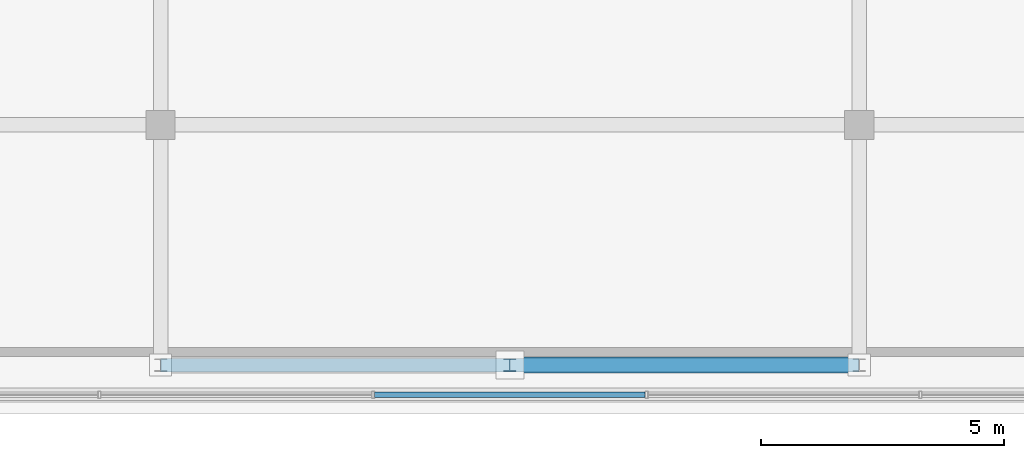
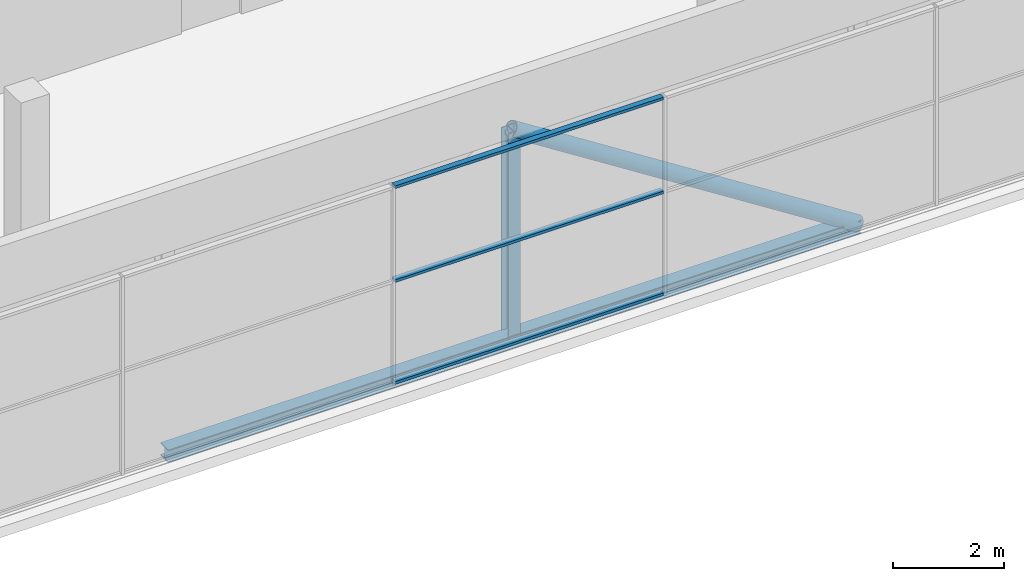
# One storey, part 6 of 22: 5 members, 1 beam, 1 element without a shape of its own.
"""IFC4 building model written with IfcOpenShell, lengths in metres."""

from ifc_helpers import new_model, si_unit, direction, frame, origin, origin_2d, place, context, subcontext, project, spatial, hollow_rectangle, hollow_circle, i_section, extrude, source, transform, mapped, material, layer, layer_set, material_profile, profile_set, type_object, element, aggregate, save


model = new_model("IFC4")

# Units and contexts
model_context = context("Model", 3, precision=1e-05, world=origin(), true_north=direction((0.0, 1.0)))
body_context = subcontext(model_context, "Body", "Model", "MODEL_VIEW")
ifc_project = project(units=[si_unit("LENGTHUNIT", "METRE"), si_unit("AREAUNIT", "SQUARE_METRE"), si_unit("VOLUMEUNIT", "CUBIC_METRE"), si_unit("PLANEANGLEUNIT", "RADIAN"), si_unit("MASSUNIT", "GRAM", prefix="KILO")], contexts=[model_context])

# Site, building, storey
site_placement = place(None, origin())
site = spatial("IfcSite", under=ifc_project, at=site_placement, CompositionType="ELEMENT")
building_placement = place(site_placement, origin())
building = spatial("IfcBuilding", under=site, at=building_placement, Name="Zarnakvel Exchange Tower", CompositionType="ELEMENT")
storey_placement = place(building_placement, frame((0.0, 0.0, 299.199951171875)))
storey = spatial("IfcBuildingStorey", under=building, at=storey_placement, Name="Crown L83", CompositionType="ELEMENT", Elevation=299.199951171875)

# Beam
ifc_material_1 = material(Name="Steel S355", Category="steel")
ifc_material_profile_1 = material_profile(ifc_material_1, i_section(OverallWidth=0.280029296875, OverallDepth=0.280029296875, WebThickness=0.010498046875, FlangeThickness=0.01806640625, FilletRadius=0.02392578125, at=origin_2d()))
ifc_profile_set_1 = profile_set([ifc_material_profile_1], Name="Steel S355")
beam_type = type_object("IfcBeamType", Name="SP-04", PredefinedType="SPANDREL", material=ifc_profile_set_1)
beam_placement = place(storey_placement, frame((-7.199951171875, -14.550048828125, -0.35986328125), z_axis=(1.0, 0.0, 0.0), x_axis=(0.0, 1.0, 0.0)))
element("IfcBeam", 1, at=beam_placement, inside=storey, type_object=beam_type, Name="Crown L83 Tower E-W Frame Beam", PredefinedType="SPANDREL", context=body_context, shape_type="SweptSolid", body=[
    extrude(i_section(OverallWidth=0.280029296875, OverallDepth=0.280029296875, WebThickness=0.010498046875, FlangeThickness=0.01806640625, FilletRadius=0.02392578125, at=origin_2d()), origin(), (0.0, 0.0, 1.0), 14.39990234375),
])

# Members
ifc_material_profile_2 = material_profile(ifc_material_1, hollow_circle(Radius=0.161865234375, WallThickness=0.01611328125, at=origin_2d()))
ifc_profile_set_2 = profile_set([ifc_material_profile_2], Name="Steel S355")
member_type_1 = type_object("IfcMemberType", Name="CF-03", PredefinedType="BRACE", material=ifc_profile_set_2)
shared_shape_1 = source(origin(), body_context, "Body", "SweptSolid", [
    extrude(hollow_circle(Radius=0.161865234375, WallThickness=0.01611328125, at=origin_2d()), origin(), (0.0, 0.0, 1.0), 8.5439453125),
])
member_1_placement = place(storey_placement, frame((7.199951171875, -14.550048828125, -0.35986328125), z_axis=(-0.842702381832, 0.0, 0.53837969469), x_axis=(0.0, -1.0, 0.0)))
element("IfcMember", 2, at=member_1_placement, inside=storey, type_object=member_type_1, Name="Crown L83 Crown Chevron Brace R (CF-03)", PredefinedType="BRACE", context=body_context, shape_type="MappedRepresentation", body=[
    mapped(shared_shape_1, transform((0.0, 0.0, 0.0), x_axis=(1.0, 0.0, 0.0), y_axis=(0.0, 1.0, 0.0), z_axis=(0.0, 0.0, 1.0), scale=1.0)),
])
ifc_material_profile_3 = material_profile(ifc_material_1, i_section(OverallWidth=0.25634765625, OverallDepth=0.26025390625, WebThickness=0.01025390625, FlangeThickness=0.017333984375, FilletRadius=0.0126953125, at=origin_2d()))
ifc_profile_set_3 = profile_set([ifc_material_profile_3], Name="Steel S355")
member_type_2 = type_object("IfcMemberType", Name="CF-04", PredefinedType="STRUT", material=ifc_profile_set_3)
shared_shape_2 = source(origin(), body_context, "Body", "SweptSolid", [
    extrude(i_section(OverallWidth=0.25634765625, OverallDepth=0.26025390625, WebThickness=0.01025390625, FlangeThickness=0.017333984375, FilletRadius=0.0126953125, at=origin_2d()), origin(), (0.0, 0.0, 1.0), 4.599853515625),
])
member_2_placement = place(storey_placement, frame((0.0, -14.550048828125, -0.35986328125), z_axis=(0.0, 0.0, 1.0), x_axis=(1.0, 0.0, 0.0)))
element("IfcMember", 3, at=member_2_placement, inside=storey, type_object=member_type_2, Name="Crown L83 Crown Frame Post (CF-04)", PredefinedType="STRUT", context=body_context, shape_type="MappedRepresentation", body=[
    mapped(shared_shape_2, transform((0.0, 0.0, 0.0), x_axis=(1.0, 0.0, 0.0), y_axis=(0.0, 1.0, 0.0), z_axis=(0.0, 0.0, 1.0), scale=1.0)),
])

# Curtain wall, members
ifc_material_2 = material(Name="Architectural Bronze Anodised Aluminium", Category="aluminium")
ifc_layer = layer(ifc_material_2, 0.14990234375)
ifc_layer_set = layer_set([ifc_layer], Name="Architectural Bronze Anodised Aluminium")
curtain_wall_type = type_object("IfcCurtainWallType", Name="CW-07", PredefinedType="NOTDEFINED", material=ifc_layer_set)
curtain_wall_placement = place(storey_placement, origin())
curtain_wall = element("IfcCurtainWall", 4, at=curtain_wall_placement, inside=storey, type_object=curtain_wall_type, Name="Crown L83 Curtain Wall CW-Crown L83-S (CW-07)", PredefinedType="NOTDEFINED")
ifc_material_profile_4 = material_profile(ifc_material_2, hollow_rectangle(XDim=0.1201171875, YDim=0.06005859375, WallThickness=0.00390625, at=origin_2d()))
ifc_profile_set_4 = profile_set([ifc_material_profile_4], Name="Architectural Bronze Anodised Aluminium")
member_type_3 = type_object("IfcMemberType", Name="CWT-07", PredefinedType="USERDEFINED", material=ifc_profile_set_4)
shared_shape_3 = source(origin(), body_context, "Body", "SweptSolid", [
    extrude(hollow_rectangle(XDim=0.1201171875, YDim=0.06005859375, WallThickness=0.00390625, at=origin_2d()), origin(), (0.0, 0.0, 1.0), 5.580078125),
])
member_3_placement = place(storey_placement, frame((-2.7900390625, -15.159912109375, 0.030029296875), z_axis=(1.0, 0.0, 0.0), x_axis=(0.0, 1.0, 0.0)))
member_3 = element("IfcMember", 5, at=member_3_placement, type_object=member_type_3, Name="CW-07 transom 3.1", ObjectType="TRANSOM", PredefinedType="USERDEFINED", context=body_context, shape_type="MappedRepresentation", body=[
    mapped(shared_shape_3, transform((0.0, 0.0, 0.0), x_axis=(1.0, 0.0, 0.0), y_axis=(0.0, 1.0, 0.0), z_axis=(0.0, 0.0, 1.0), scale=1.0)),
])
member_4_placement = place(storey_placement, frame((-2.7900390625, -15.159912109375, 2.267333984375), z_axis=(1.0, 0.0, 0.0), x_axis=(0.0, 1.0, 0.0)))
member_4 = element("IfcMember", 6, at=member_4_placement, type_object=member_type_3, Name="CW-07 transom 3.2", ObjectType="TRANSOM", PredefinedType="USERDEFINED", context=body_context, shape_type="MappedRepresentation", body=[
    mapped(shared_shape_3, transform((0.0, 0.0, 0.0), x_axis=(1.0, 0.0, 0.0), y_axis=(0.0, 1.0, 0.0), z_axis=(0.0, 0.0, 1.0), scale=1.0)),
])
member_5_placement = place(storey_placement, frame((-2.7900390625, -15.159912109375, 4.330078125), z_axis=(1.0, 0.0, 0.0), x_axis=(0.0, 1.0, 0.0)))
member_5 = element("IfcMember", 7, at=member_5_placement, type_object=member_type_3, Name="CW-07 transom 3.3", ObjectType="TRANSOM", PredefinedType="USERDEFINED", context=body_context, shape_type="MappedRepresentation", body=[
    mapped(shared_shape_3, transform((0.0, 0.0, 0.0), x_axis=(1.0, 0.0, 0.0), y_axis=(0.0, 1.0, 0.0), z_axis=(0.0, 0.0, 1.0), scale=1.0)),
])
aggregate(curtain_wall, [member_3, member_4, member_5])

save(model, "model.ifc")
